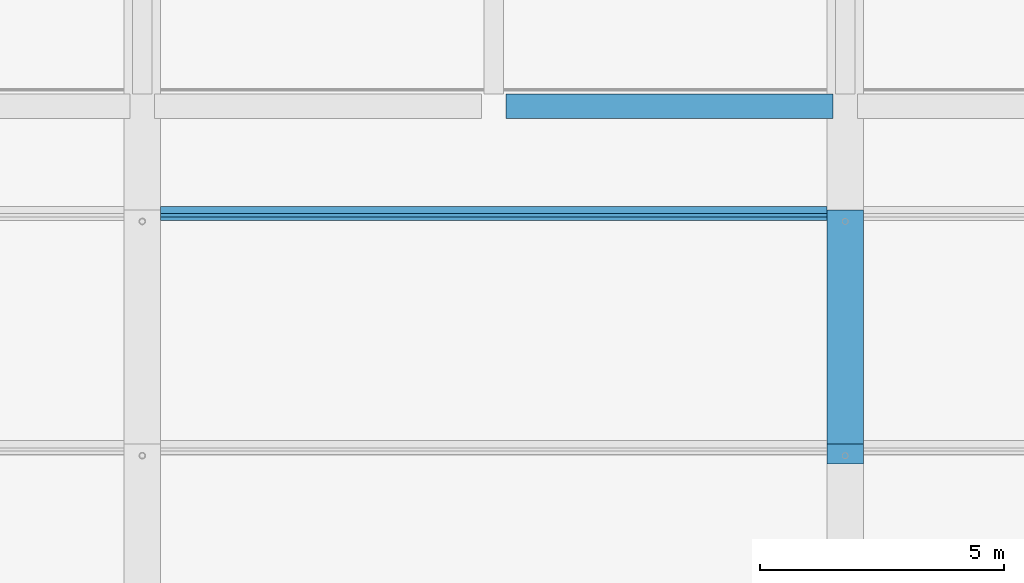
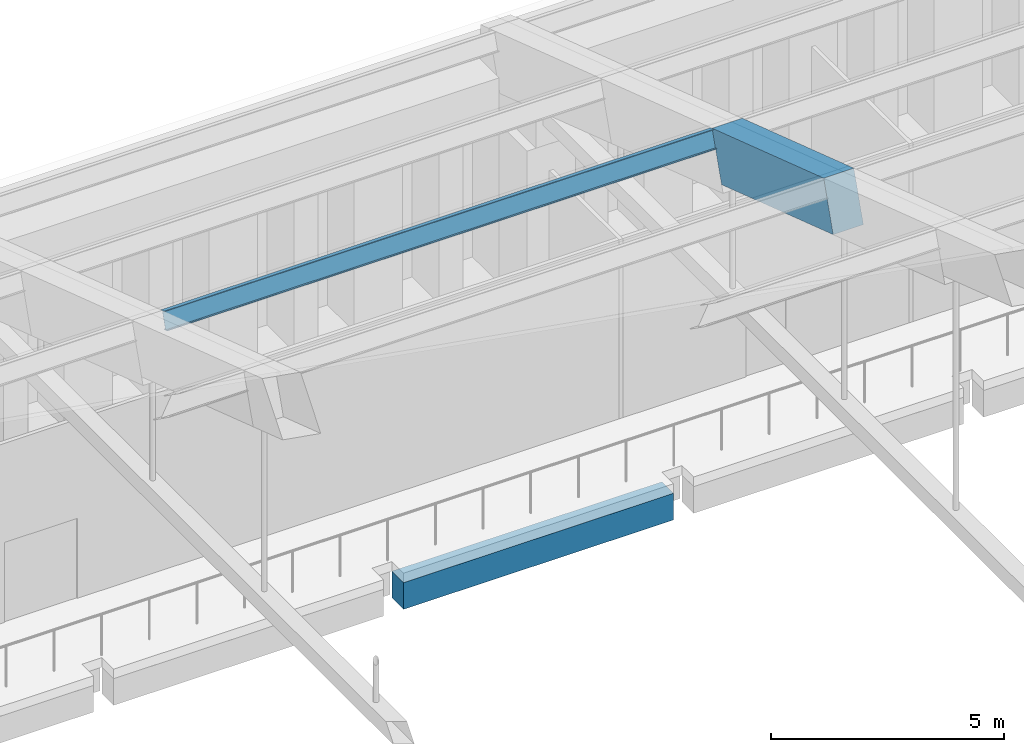
# One storey, part 64 of 149: 2 beams, 1 member.
"""IFC4 building model written with IfcOpenShell, lengths in metres."""

from ifc_helpers import new_model, si_unit, direction, frame, origin, origin_2d, place, context, subcontext, project, spatial, rectangle, i_section, extrude, material, material_profile, profile_set, type_object, element, save


model = new_model("IFC4")

# Units and contexts
model_context = context("Model", 3, precision=1e-05, world=origin(), true_north=direction((0.0, 1.0)))
body_context = subcontext(model_context, "Body", "Model", "MODEL_VIEW")
ifc_project = project(units=[si_unit("LENGTHUNIT", "METRE"), si_unit("AREAUNIT", "SQUARE_METRE"), si_unit("VOLUMEUNIT", "CUBIC_METRE"), si_unit("PLANEANGLEUNIT", "RADIAN"), si_unit("MASSUNIT", "GRAM", prefix="KILO")], contexts=[model_context])

# Site, building, storey
site_placement = place(None, origin())
site = spatial("IfcSite", under=ifc_project, at=site_placement, CompositionType="ELEMENT")
building_placement = place(site_placement, origin())
building = spatial("IfcBuilding", under=site, at=building_placement, Name="Alderwick Market Hall", CompositionType="ELEMENT")
storey_placement = place(building_placement, frame((0.0, 0.0, 9.60009765625)))
storey = spatial("IfcBuildingStorey", under=building, at=storey_placement, Name="L01", CompositionType="ELEMENT", Elevation=9.60009765625)

# Beams
ifc_material_1 = material(Name="Concrete 5000 psi (f'c 35 MPa)", Category="concrete")
ifc_material_profile_1 = material_profile(ifc_material_1, rectangle(XDim=0.5, YDim=0.699951171875, at=origin_2d()), Name="RC 500x700")
ifc_profile_set_1 = profile_set([ifc_material_profile_1], Name="Concrete 5000 psi (f'c 35 MPa)")
beam_type_1 = type_object("IfcBeamType", Name="H Edge beam 500x700", PredefinedType="BEAM", material=ifc_profile_set_1)
beam_1_placement = place(storey_placement, frame((86.64990234375, 100.760009765625, -0.60009765625), z_axis=(1.0, 0.0, 0.0), x_axis=(0.0, 1.0, 0.0)))
element("IfcBeam", 1, at=beam_1_placement, inside=storey, type_object=beam_type_1, Name="Gallery edge beam N", PredefinedType="BEAM", context=body_context, shape_type="SweptSolid", body=[
    extrude(rectangle(XDim=0.5, YDim=0.699951171875, at=origin_2d()), origin(), (0.0, 0.0, 1.0), 6.7001953125),
])
ifc_material_profile_2 = material_profile(ifc_material_1, rectangle(XDim=0.75, YDim=1.300048828125, at=origin_2d()), Name="RC 750x1300")
ifc_profile_set_2 = profile_set([ifc_material_profile_2], Name="Concrete 5000 psi (f'c 35 MPa)")
beam_type_2 = type_object("IfcBeamType", Name="R Arch Rib Haunch 750x1300", PredefinedType="BEAM", material=ifc_profile_set_2)
beam_2_placement = place(storey_placement, frame((93.60009765625, 93.631591796875, 11.494873046875), z_axis=(0.0, 0.948678472761, -0.316242241517), x_axis=(-1.0, 0.0, 0.0)))
element("IfcBeam", 2, at=beam_2_placement, inside=storey, type_object=beam_type_2, Name="Arch rib 4 chord 10", PredefinedType="BEAM", context=body_context, shape_type="SweptSolid", body=[
    extrude(rectangle(XDim=0.75, YDim=1.300048828125, at=origin_2d()), origin(), (0.0, 0.0, 1.0), 5.059814453125),
])

# Member
ifc_material_2 = material(Name="Steel ASTM A992 Grade 50", Category="steel")
ifc_material_profile_3 = material_profile(ifc_material_2, i_section(OverallWidth=0.153076171875, OverallDepth=0.455078125, WebThickness=0.008056640625, FlangeThickness=0.01318359375, at=origin_2d()), Name="W18x40")
ifc_profile_set_3 = profile_set([ifc_material_profile_3], Name="Steel ASTM A992 Grade 50")
member_type = type_object("IfcMemberType", Name="R Purlin W18x40", PredefinedType="PURLIN", material=ifc_profile_set_3)
member_placement = place(storey_placement, frame((79.574951171875, 98.563232421875, 10.289794921875), z_axis=(1.0, 0.0, 0.0), x_axis=(0.0, 0.948683297073, -0.316227768949)))
element("IfcMember", 3, at=member_placement, inside=storey, type_object=member_type, Name="Roof purlin 11.3", PredefinedType="PURLIN", context=body_context, shape_type="SweptSolid", body=[
    extrude(i_section(OverallWidth=0.153076171875, OverallDepth=0.455078125, WebThickness=0.008056640625, FlangeThickness=0.01318359375, at=origin_2d()), origin(), (0.0, 0.0, 1.0), 13.650146484375),
])

save(model, "model.ifc")
